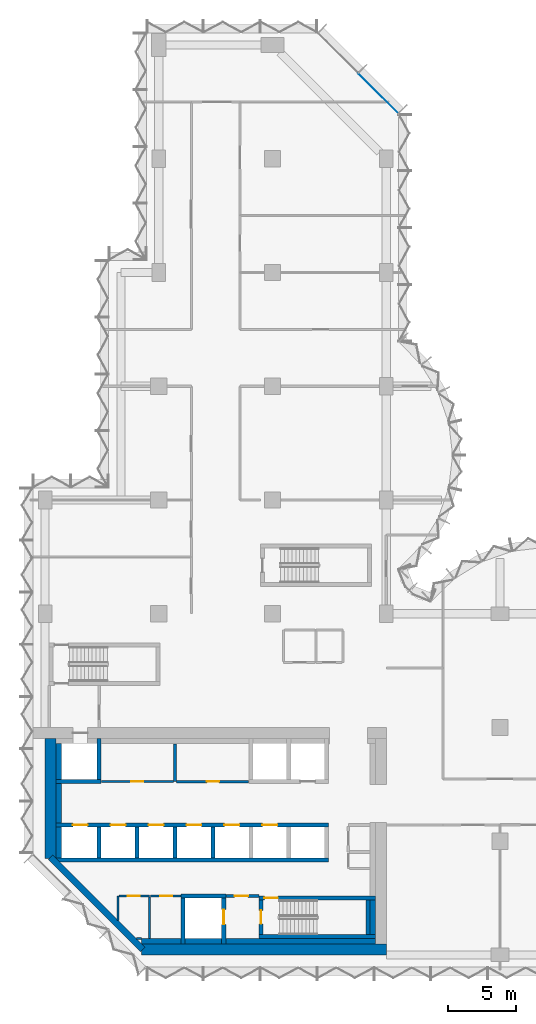
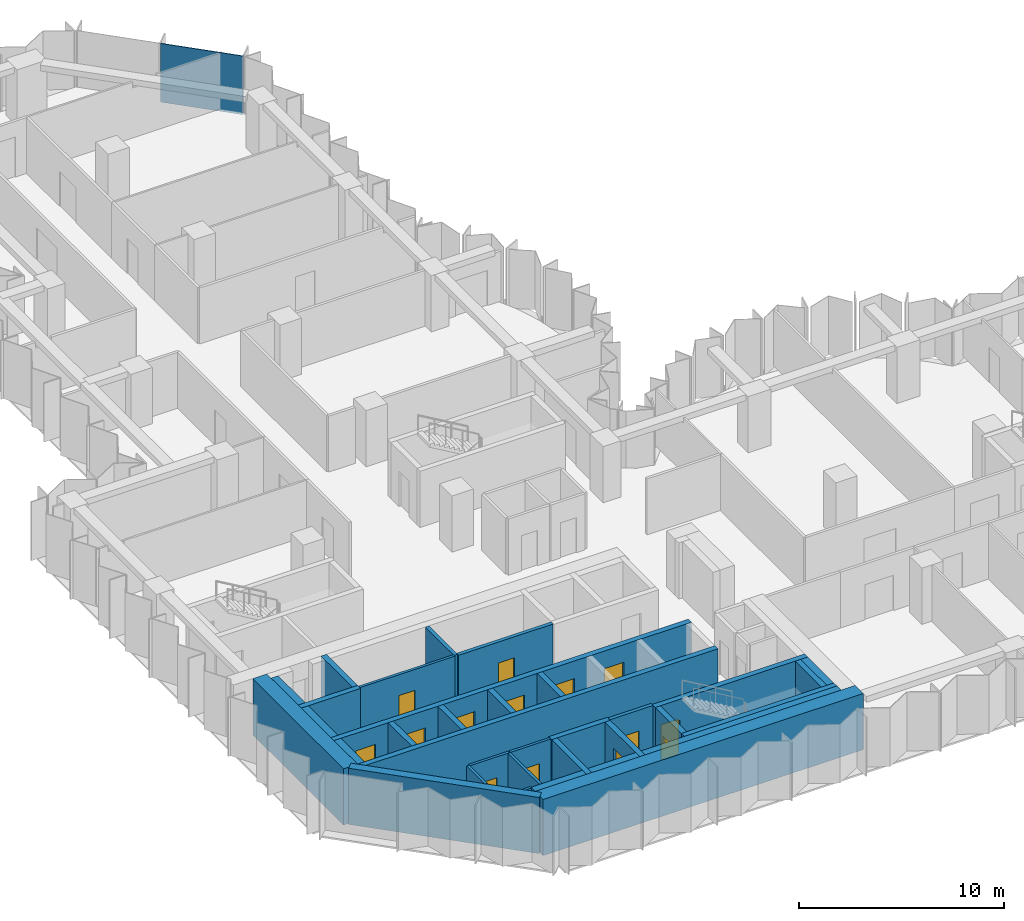
# One storey, part 5 of 11: 34 walls, 14 doors, 1 plate, 14 openings, 1 element without a shape of its own.
"""IFC4 building model written with IfcOpenShell, lengths in metres."""

from ifc_helpers import new_model, si_unit, direction, frame, frame_2d, origin, place, context, subcontext, project, spatial, polyline, rectangle, outline, extrude, material, layer, layer_set, type_object, element, fill, aggregate, save


model = new_model("IFC4")

# Units and contexts
model_context = context("Model", 3, precision=1e-05, world=origin(), true_north=direction((0.0, 1.0)))
body_context = subcontext(model_context, "Body", "Model", "MODEL_VIEW")
ifc_project = project(units=[si_unit("LENGTHUNIT", "METRE"), si_unit("AREAUNIT", "SQUARE_METRE"), si_unit("VOLUMEUNIT", "CUBIC_METRE"), si_unit("PLANEANGLEUNIT", "RADIAN"), si_unit("MASSUNIT", "GRAM", prefix="KILO")], contexts=[model_context])

# Site, building, storey
site_placement = place(None, origin())
site = spatial("IfcSite", under=ifc_project, at=site_placement, CompositionType="ELEMENT")
building_placement = place(site_placement, origin())
building = spatial("IfcBuilding", under=site, at=building_placement, Name="Brevane Broadcast Tower", CompositionType="ELEMENT")
storey_placement = place(building_placement, frame((0.0, 0.0, 149.300048828125)))
storey = spatial("IfcBuildingStorey", under=building, at=storey_placement, Name="L37", CompositionType="ELEMENT", Elevation=149.300048828125)

# Curtain wall, plate
ifc_material_1 = material(Name="Aluminium 6063-T6 bronze anodised", Category="aluminium")
curtain_wall_type = type_object("IfcCurtainWallType", Name="CW-1 curtain wall", PredefinedType="NOTDEFINED", material=ifc_material_1)
curtain_wall_placement = place(storey_placement, origin())
curtain_wall = element("IfcCurtainWall", 1, at=curtain_wall_placement, inside=storey, type_object=curtain_wall_type, Name="CW-1 typical tilted unit L37 north arm north-east chamfer", PredefinedType="NOTDEFINED")
ifc_material_2 = material(Name="Laminated glass bronze-tinted", Category="glass")
ifc_layer_1 = layer(ifc_material_2, 0.0400390625)
ifc_layer_set_1 = layer_set([ifc_layer_1], Name="CW tall glass panel 40")
plate_type = type_object("IfcPlateType", Name="CW tall glass panel 40", PredefinedType="CURTAIN_PANEL", material=ifc_layer_set_1)
plate_placement = place(storey_placement, frame((0.0, 0.0, -0.150146484375)))
plate = element("IfcPlate", 2, at=plate_placement, type_object=plate_type, Name="CW-1 glass panel", PredefinedType="CURTAIN_PANEL", context=body_context, shape_type="SweptSolid", body=[
    extrude(outline(polyline([(26.096435546875, 62.14599609375), (23.14599609375, 65.096435546875), (23.17431640625, 65.124755859375), (26.124755859375, 62.17431640625), (26.096435546875, 62.14599609375)])), origin(), (0.0, 0.0, 1.0), 3.5),
])
aggregate(curtain_wall, [plate])

# Walls
ifc_material_3 = material(Name="Concrete C32/40", Category="concrete")
ifc_layer_2 = layer(ifc_material_3, 0.39990234375)
ifc_layer_set_2 = layer_set([ifc_layer_2], Name="Core chase wall 400 mm")
wall_type_1 = type_object("IfcWallType", Name="Core chase wall 400 mm", PredefinedType="PARTITIONING", material=ifc_layer_set_2)
wall_1_placement = place(storey_placement, frame((1.0, 7.14990234375, 0.0), z_axis=(0.0, 0.0, 1.0), x_axis=(0.0, 1.0, 0.0)))
element("IfcWall", 3, at=wall_1_placement, inside=storey, type_object=wall_type_1, Name="L37 chase wall LW-2-1", PredefinedType="PARTITIONING", context=body_context, shape_type="SweptSolid", body=[
    extrude(rectangle(XDim=2.300048828125, YDim=0.39990234375, at=frame_2d((1.14990234375, 0.0))), origin(), (0.0, 0.0, 1.0), 3.349853515625),
])
wall_2_placement = place(storey_placement, frame((1.0, 9.75, 0.0), z_axis=(0.0, 0.0, 1.0), x_axis=(0.0, 1.0, 0.0)))
element("IfcWall", 4, at=wall_2_placement, inside=storey, type_object=wall_type_1, Name="L37 chase wall LW-2-2-1", PredefinedType="PARTITIONING", context=body_context, shape_type="SweptSolid", body=[
    extrude(rectangle(XDim=2.89990234375, YDim=0.39990234375, at=frame_2d((1.449951171875, 0.0))), origin(), (0.0, 0.0, 1.0), 3.349853515625),
])
wall_3_placement = place(storey_placement, frame((1.0, 12.949951171875, 0.0), z_axis=(0.0, 0.0, 1.0), x_axis=(0.0, 1.0, 0.0)))
element("IfcWall", 5, at=wall_3_placement, inside=storey, type_object=wall_type_1, Name="L37 chase wall LW-2-2-2", PredefinedType="PARTITIONING", context=body_context, shape_type="SweptSolid", body=[
    extrude(rectangle(XDim=2.650146484375, YDim=0.39990234375, at=frame_2d((1.3251953125, 0.0))), origin(), (0.0, 0.0, 1.0), 3.349853515625),
])
wall_4_placement = place(storey_placement, frame((7.136474609375, 1.0, 0.0), z_axis=(0.0, 0.0, 1.0), x_axis=(1.0, 0.0, 0.0)))
element("IfcWall", 6, at=wall_4_placement, inside=storey, type_object=wall_type_1, Name="L37 chase wall LS-1", PredefinedType="PARTITIONING", context=body_context, shape_type="SweptSolid", body=[
    extrude(rectangle(XDim=2.91357421875, YDim=0.39990234375, at=frame_2d((1.456787109375, 0.0))), origin(), (0.0, 0.0, 1.0), 3.349853515625),
])
wall_5_placement = place(storey_placement, frame((10.35009765625, 1.0, 0.0), z_axis=(0.0, 0.0, 1.0), x_axis=(1.0, 0.0, 0.0)))
element("IfcWall", 7, at=wall_5_placement, inside=storey, type_object=wall_type_1, Name="L37 chase wall LS-2-1", PredefinedType="PARTITIONING", context=body_context, shape_type="SweptSolid", body=[
    extrude(rectangle(XDim=2.699951171875, YDim=0.39990234375, at=frame_2d((1.35009765625, 0.0))), origin(), (0.0, 0.0, 1.0), 3.349853515625),
])
wall_6_placement = place(storey_placement, frame((13.35009765625, 1.0, 0.0), z_axis=(0.0, 0.0, 1.0), x_axis=(1.0, 0.0, 0.0)))
element("IfcWall", 8, at=wall_6_placement, inside=storey, type_object=wall_type_1, Name="L37 chase wall LS-2-2", PredefinedType="PARTITIONING", context=body_context, shape_type="SweptSolid", body=[
    extrude(rectangle(XDim=11.0498046875, YDim=0.39990234375, at=frame_2d((5.52490234375, 0.0))), origin(), (0.0, 0.0, 1.0), 3.349853515625),
])
wall_7_placement = place(storey_placement, frame((24.199951171875, 1.5, 0.0), z_axis=(0.0, 0.0, 1.0), x_axis=(0.0, 1.0, 0.0)))
element("IfcWall", 9, at=wall_7_placement, inside=storey, type_object=wall_type_1, Name="L37 chase wall LE1-2-1", PredefinedType="PARTITIONING", context=body_context, shape_type="SweptSolid", body=[
    extrude(rectangle(XDim=2.550048828125, YDim=0.39990234375, at=frame_2d((1.27490234375, 0.0))), origin(), (0.0, 0.0, 1.0), 3.349853515625),
])

# Wall, opening, door
ifc_material_4 = material(Name="Gypsum board on steel studs", Category="steel")
ifc_layer_3 = layer(ifc_material_4, 0.14990234375)
ifc_layer_set_3 = layer_set([ifc_layer_3], Name="Core fire partition 150 mm")
wall_type_2 = type_object("IfcWallType", Name="Core fire partition 150 mm", PredefinedType="PARTITIONING", material=ifc_layer_set_3)
wall_8_placement = place(storey_placement, frame((4.162109375, 12.800048828125, 0.0), z_axis=(0.0, 0.0, 1.0), x_axis=(1.0, 0.0, 0.0)))
wall_8 = element("IfcWall", 10, at=wall_8_placement, inside=storey, type_object=wall_type_2, Name="L37 partition wall P09", PredefinedType="PARTITIONING", context=body_context, shape_type="SweptSolid", body=[
    extrude(rectangle(XDim=5.337890625, YDim=0.14990234375, at=frame_2d((2.6689453125, 0.0))), origin(), (0.0, 0.0, 1.0), 3.349853515625),
])
opening_1_placement = place(wall_8_placement, frame((2.18798828125, 0.0, 0.0)))
opening_1 = element("IfcOpeningElement", 11, at=opening_1_placement, cuts=wall_8, Name="Opening L37-K21", PredefinedType="OPENING", context=body_context, shape_type="SweptSolid", body=[
    extrude(rectangle(XDim=0.89990234375, YDim=2.10009765625, at=frame_2d((0.449951171875, 1.050048828125))), frame((0.0, 0.0849609375, 0.0), z_axis=(0.0, -1.0, 0.0), x_axis=(1.0, 0.0, 0.0)), (0.0, 0.0, 1.0), 0.169921875),
])
ifc_material_5 = material(Name="Steel", Category="steel")
door_type_1 = type_object("IfcDoorType", Name="Service room door 900 x 2100", OperationType="SINGLE_SWING_LEFT", PredefinedType="DOOR", material=ifc_material_5)
door_1_placement = place(opening_1_placement, origin())
door_1 = element("IfcDoor", 12, at=door_1_placement, inside=storey, type_object=door_type_1, Name="Door L37-K21", OperationType="SINGLE_SWING_LEFT", OverallHeight=2.10009765625, OverallWidth=0.89990234375, PredefinedType="DOOR", context=body_context, shape_type="SweptSolid", body=[
    extrude(rectangle(XDim=0.89990234375, YDim=2.10009765625, at=frame_2d((0.449951171875, 1.050048828125))), frame((0.0, 0.02490234375, 0.0), z_axis=(0.0, -1.0, 0.0), x_axis=(1.0, 0.0, 0.0)), (0.0, 0.0, 1.0), 0.050048828125),
])
fill(opening_1, door_1)

# Wall
wall_9_placement = place(storey_placement, frame((5.39990234375, 2.553466796875, 0.0), z_axis=(0.0, 0.0, 1.0), x_axis=(0.0, 1.0, 0.0)))
element("IfcWall", 13, at=wall_9_placement, inside=storey, type_object=wall_type_2, Name="L37 partition wall P10", PredefinedType="PARTITIONING", context=body_context, shape_type="SweptSolid", body=[
    extrude(rectangle(XDim=1.796630859375, YDim=0.14990234375, at=frame_2d((0.8984375, 0.0))), origin(), (0.0, 0.0, 1.0), 3.349853515625),
])

# Wall, opening, door
wall_10_placement = place(storey_placement, frame((5.47509765625, 4.35009765625, 0.0), z_axis=(0.0, 0.0, 1.0), x_axis=(1.0, 0.0, 0.0)))
wall_10 = element("IfcWall", 14, at=wall_10_placement, inside=storey, type_object=wall_type_2, Name="L37 partition wall P11", PredefinedType="PARTITIONING", context=body_context, shape_type="SweptSolid", body=[
    extrude(rectangle(XDim=2.224853515625, YDim=0.14990234375, at=frame_2d((1.1123046875, 0.0))), origin(), (0.0, 0.0, 1.0), 3.349853515625),
])
opening_2_placement = place(wall_10_placement, frame((0.625, 0.0, 0.0)))
opening_2 = element("IfcOpeningElement", 15, at=opening_2_placement, cuts=wall_10, Name="Opening L37-K16", PredefinedType="OPENING", context=body_context, shape_type="SweptSolid", body=[
    extrude(rectangle(XDim=0.89990234375, YDim=2.10009765625, at=frame_2d((0.449951171875, 1.050048828125))), frame((0.0, 0.0849609375, 0.0), z_axis=(0.0, -1.0, 0.0), x_axis=(1.0, 0.0, 0.0)), (0.0, 0.0, 1.0), 0.169921875),
])
ifc_material_6 = material(Name="Timber", Category="wood")
door_type_2 = type_object("IfcDoorType", Name="Toilet door 900 x 2100", OperationType="SINGLE_SWING_LEFT", PredefinedType="DOOR", material=ifc_material_6)
door_2_placement = place(opening_2_placement, origin())
door_2 = element("IfcDoor", 16, at=door_2_placement, inside=storey, type_object=door_type_2, Name="Door L37-K16", OperationType="SINGLE_SWING_RIGHT", OverallHeight=2.10009765625, OverallWidth=0.89990234375, PredefinedType="DOOR", context=body_context, shape_type="SweptSolid", body=[
    extrude(rectangle(XDim=0.89990234375, YDim=2.10009765625, at=frame_2d((0.449951171875, 1.050048828125))), frame((0.0, 0.02490234375, 0.0), z_axis=(0.0, -1.0, 0.0), x_axis=(1.0, 0.0, 0.0)), (0.0, 0.0, 1.0), 0.050048828125),
])
fill(opening_2, door_2)

# Walls
wall_11_placement = place(storey_placement, frame((7.699951171875, 4.27490234375, 0.0), z_axis=(0.0, 0.0, 1.0), x_axis=(0.0, -1.0, 0.0)))
element("IfcWall", 17, at=wall_11_placement, inside=storey, type_object=wall_type_2, Name="L37 partition wall P12", PredefinedType="PARTITIONING", context=body_context, shape_type="SweptSolid", body=[
    extrude(rectangle(XDim=3.06298828125, YDim=0.14990234375, at=frame_2d((1.531494140625, 0.0))), origin(), (0.0, 0.0, 1.0), 3.349853515625),
])
wall_12_placement = place(storey_placement, frame((7.12451171875, 1.199951171875, 0.0), z_axis=(0.0, 0.0, 1.0), x_axis=(-1.0, 0.0, 0.0)))
element("IfcWall", 18, at=wall_12_placement, inside=storey, type_object=wall_type_2, Name="L37 partition wall P13", PredefinedType="PARTITIONING", context=body_context, shape_type="SweptSolid", body=[
    extrude(rectangle(XDim=0.37109375, YDim=0.14990234375, at=frame_2d((0.185546875, 0.0))), origin(), (0.0, 0.0, 1.0), 3.349853515625),
])

# Wall, opening, door
wall_13_placement = place(storey_placement, frame((10.0380859375, 4.35009765625, 0.0), z_axis=(0.0, 0.0, 1.0), x_axis=(-1.0, 0.0, 0.0)))
wall_13 = element("IfcWall", 19, at=wall_13_placement, inside=storey, type_object=wall_type_2, Name="L37 partition wall P14", PredefinedType="PARTITIONING", context=body_context, shape_type="SweptSolid", body=[
    extrude(rectangle(XDim=2.26318359375, YDim=0.14990234375, at=frame_2d((1.131591796875, 0.0))), origin(), (0.0, 0.0, 1.0), 3.349853515625),
])
opening_3_placement = place(wall_13_placement, frame((0.637939453125, 0.0, 0.0)))
opening_3 = element("IfcOpeningElement", 20, at=opening_3_placement, cuts=wall_13, Name="Opening L37-K17", PredefinedType="OPENING", context=body_context, shape_type="SweptSolid", body=[
    extrude(rectangle(XDim=0.89990234375, YDim=2.10009765625, at=frame_2d((0.449951171875, 1.050048828125))), frame((0.0, 0.0849609375, 0.0), z_axis=(0.0, -1.0, 0.0), x_axis=(1.0, 0.0, 0.0)), (0.0, 0.0, 1.0), 0.169921875),
])
door_3_placement = place(opening_3_placement, origin())
door_3 = element("IfcDoor", 21, at=door_3_placement, inside=storey, type_object=door_type_2, Name="Door L37-K17", OperationType="SINGLE_SWING_LEFT", OverallHeight=2.10009765625, OverallWidth=0.89990234375, PredefinedType="DOOR", context=body_context, shape_type="SweptSolid", body=[
    extrude(rectangle(XDim=0.89990234375, YDim=2.10009765625, at=frame_2d((0.449951171875, 1.050048828125))), frame((0.0, 0.02490234375, 0.0), z_axis=(0.0, -1.0, 0.0), x_axis=(1.0, 0.0, 0.0)), (0.0, 0.0, 1.0), 0.050048828125),
])
fill(opening_3, door_3)

ifc_layer_4 = layer(ifc_material_4, 0.199951171875)
ifc_layer_set_4 = layer_set([ifc_layer_4], Name="Core fire partition 200 mm")
wall_type_3 = type_object("IfcWallType", Name="Core fire partition 200 mm", PredefinedType="PARTITIONING", material=ifc_layer_set_4)
wall_14_placement = place(storey_placement, frame((13.362060546875, 4.35009765625, 0.0), z_axis=(0.0, 0.0, 1.0), x_axis=(1.0, 0.0, 0.0)))
wall_14 = element("IfcWall", 22, at=wall_14_placement, inside=storey, type_object=wall_type_3, Name="L37 partition wall P03", PredefinedType="PARTITIONING", context=body_context, shape_type="SweptSolid", body=[
    extrude(rectangle(XDim=2.426025390625, YDim=0.199951171875, at=frame_2d((1.212890625, 0.0))), origin(), (0.0, 0.0, 1.0), 3.349853515625),
])
opening_4_placement = place(wall_14_placement, frame((0.637939453125, 0.0, 0.0)))
opening_4 = element("IfcOpeningElement", 23, at=opening_4_placement, cuts=wall_14, Name="Opening L37-K18", PredefinedType="OPENING", context=body_context, shape_type="SweptSolid", body=[
    extrude(rectangle(XDim=1.0, YDim=2.10009765625, at=frame_2d((0.5, 1.050048828125))), frame((0.0, 0.10986328125, 0.0), z_axis=(0.0, -1.0, 0.0), x_axis=(1.0, 0.0, 0.0)), (0.0, 0.0, 1.0), 0.219970703125),
])
door_type_3 = type_object("IfcDoorType", Name="Stair door 1000 x 2100", OperationType="SINGLE_SWING_LEFT", PredefinedType="DOOR", material=ifc_material_5)
door_4_placement = place(opening_4_placement, origin())
door_4 = element("IfcDoor", 24, at=door_4_placement, inside=storey, type_object=door_type_3, Name="Door L37-K18", OperationType="SINGLE_SWING_RIGHT", OverallHeight=2.10009765625, OverallWidth=1.0, PredefinedType="DOOR", context=body_context, shape_type="SweptSolid", body=[
    extrude(rectangle(XDim=1.0, YDim=2.10009765625, at=frame_2d((0.5, 1.050048828125))), frame((0.0, 0.02490234375, 0.0), z_axis=(0.0, -1.0, 0.0), x_axis=(1.0, 0.0, 0.0)), (0.0, 0.0, 1.0), 0.050048828125),
])
fill(opening_4, door_4)

# Wall
wall_15_placement = place(storey_placement, frame((9.60009765625, 15.587890625, 0.0), z_axis=(0.0, 0.0, 1.0), x_axis=(0.0, -1.0, 0.0)))
element("IfcWall", 25, at=wall_15_placement, inside=storey, type_object=wall_type_3, Name="L37 partition wall P04", PredefinedType="PARTITIONING", context=body_context, shape_type="SweptSolid", body=[
    extrude(rectangle(XDim=2.787841796875, YDim=0.199951171875, at=frame_2d((1.39404296875, 0.0))), origin(), (0.0, 0.0, 1.0), 3.349853515625),
])

# Wall, opening, door
wall_16_placement = place(storey_placement, frame((9.699951171875, 12.800048828125, 0.0), z_axis=(0.0, 0.0, 1.0), x_axis=(1.0, 0.0, 0.0)))
wall_16 = element("IfcWall", 26, at=wall_16_placement, inside=storey, type_object=wall_type_3, Name="L37 partition wall P05", PredefinedType="PARTITIONING", context=body_context, shape_type="SweptSolid", body=[
    extrude(rectangle(XDim=5.338134765625, YDim=0.199951171875, at=frame_2d((2.6689453125, 0.0))), origin(), (0.0, 0.0, 1.0), 3.349853515625),
])
opening_5_placement = place(wall_16_placement, frame((2.25, 0.0, 0.0)))
opening_5 = element("IfcOpeningElement", 27, at=opening_5_placement, cuts=wall_16, Name="Opening L37-K22", PredefinedType="OPENING", context=body_context, shape_type="SweptSolid", body=[
    extrude(rectangle(XDim=0.89990234375, YDim=2.10009765625, at=frame_2d((0.449951171875, 1.050048828125))), frame((0.0, 0.10986328125, 0.0), z_axis=(0.0, -1.0, 0.0), x_axis=(1.0, 0.0, 0.0)), (0.0, 0.0, 1.0), 0.219970703125),
])
door_5_placement = place(opening_5_placement, origin())
door_5 = element("IfcDoor", 28, at=door_5_placement, inside=storey, type_object=door_type_1, Name="Door L37-K22", OperationType="SINGLE_SWING_RIGHT", OverallHeight=2.10009765625, OverallWidth=0.89990234375, PredefinedType="DOOR", context=body_context, shape_type="SweptSolid", body=[
    extrude(rectangle(XDim=0.89990234375, YDim=2.10009765625, at=frame_2d((0.449951171875, 1.050048828125))), frame((0.0, 0.02490234375, 0.0), z_axis=(0.0, -1.0, 0.0), x_axis=(1.0, 0.0, 0.0)), (0.0, 0.0, 1.0), 0.050048828125),
])
fill(opening_5, door_5)

# Wall
ifc_material_7 = material(Name="Concrete C60/75", Category="concrete")
ifc_layer_5 = layer(ifc_material_7, 0.300048828125)
ifc_layer_set_5 = layer_set([ifc_layer_5], Name="Core wall 300 mm C60/75")
wall_type_4 = type_object("IfcWallType", Name="Core wall 300 mm C60/75", PredefinedType="SHEAR", material=ifc_layer_set_5)
wall_17_placement = place(storey_placement, frame((0.800048828125, 7.0, 0.0), z_axis=(0.0, 0.0, 1.0), x_axis=(1.0, 0.0, 0.0)))
element("IfcWall", 29, at=wall_17_placement, inside=storey, type_object=wall_type_4, Name="L37 shaft wall SH-S012-back", PredefinedType="SHEAR", context=body_context, shape_type="SweptSolid", body=[
    extrude(rectangle(XDim=20.14990234375, YDim=0.300048828125, at=frame_2d((10.074951171875, 0.0))), origin(), (0.0, 0.0, 1.0), 3.349853515625),
])

# Wall, openings, doors
wall_18_placement = place(storey_placement, frame((0.800048828125, 9.60009765625, 0.0), z_axis=(0.0, 0.0, 1.0), x_axis=(1.0, 0.0, 0.0)))
wall_18 = element("IfcWall", 30, at=wall_18_placement, inside=storey, type_object=wall_type_4, Name="L37 shaft wall SH-S012-front", PredefinedType="SHEAR", context=body_context, shape_type="SweptSolid", body=[
    extrude(rectangle(XDim=20.14990234375, YDim=0.300048828125, at=frame_2d((10.074951171875, 0.0))), origin(), (0.0, 0.0, 1.0), 3.349853515625),
])
opening_6_placement = place(wall_18_placement, frame((1.25, 0.0, 0.0)))
opening_6 = element("IfcOpeningElement", 31, at=opening_6_placement, cuts=wall_18, Name="Opening LD", PredefinedType="OPENING", context=body_context, shape_type="SweptSolid", body=[
    extrude(rectangle(XDim=1.10009765625, YDim=2.300048828125, at=frame_2d((0.550048828125, 1.14990234375))), frame((0.0, 0.159912109375, 0.0), z_axis=(0.0, -1.0, 0.0), x_axis=(1.0, 0.0, 0.0)), (0.0, 0.0, 1.0), 0.320068359375),
])
opening_7_placement = place(wall_18_placement, frame((4.050048828125, 0.0, 0.0)))
opening_7 = element("IfcOpeningElement", 32, at=opening_7_placement, cuts=wall_18, Name="Opening LD", PredefinedType="OPENING", context=body_context, shape_type="SweptSolid", body=[
    extrude(rectangle(XDim=1.10009765625, YDim=2.300048828125, at=frame_2d((0.550048828125, 1.14990234375))), frame((0.0, 0.159912109375, 0.0), z_axis=(0.0, -1.0, 0.0), x_axis=(1.0, 0.0, 0.0)), (0.0, 0.0, 1.0), 0.320068359375),
])
opening_8_placement = place(wall_18_placement, frame((6.85009765625, 0.0, 0.0)))
opening_8 = element("IfcOpeningElement", 33, at=opening_8_placement, cuts=wall_18, Name="Opening LD", PredefinedType="OPENING", context=body_context, shape_type="SweptSolid", body=[
    extrude(rectangle(XDim=1.10009765625, YDim=2.300048828125, at=frame_2d((0.550048828125, 1.14990234375))), frame((0.0, 0.159912109375, 0.0), z_axis=(0.0, -1.0, 0.0), x_axis=(1.0, 0.0, 0.0)), (0.0, 0.0, 1.0), 0.320068359375),
])
opening_9_placement = place(wall_18_placement, frame((9.64990234375, 0.0, 0.0)))
opening_9 = element("IfcOpeningElement", 34, at=opening_9_placement, cuts=wall_18, Name="Opening LD", PredefinedType="OPENING", context=body_context, shape_type="SweptSolid", body=[
    extrude(rectangle(XDim=1.10009765625, YDim=2.300048828125, at=frame_2d((0.550048828125, 1.14990234375))), frame((0.0, 0.159912109375, 0.0), z_axis=(0.0, -1.0, 0.0), x_axis=(1.0, 0.0, 0.0)), (0.0, 0.0, 1.0), 0.320068359375),
])
opening_10_placement = place(wall_18_placement, frame((12.449951171875, 0.0, 0.0)))
opening_10 = element("IfcOpeningElement", 35, at=opening_10_placement, cuts=wall_18, Name="Opening LD", PredefinedType="OPENING", context=body_context, shape_type="SweptSolid", body=[
    extrude(rectangle(XDim=1.10009765625, YDim=2.300048828125, at=frame_2d((0.550048828125, 1.14990234375))), frame((0.0, 0.159912109375, 0.0), z_axis=(0.0, -1.0, 0.0), x_axis=(1.0, 0.0, 0.0)), (0.0, 0.0, 1.0), 0.320068359375),
])
opening_11_placement = place(wall_18_placement, frame((15.25, 0.0, 0.0)))
opening_11 = element("IfcOpeningElement", 36, at=opening_11_placement, cuts=wall_18, Name="Opening LD", PredefinedType="OPENING", context=body_context, shape_type="SweptSolid", body=[
    extrude(rectangle(XDim=1.10009765625, YDim=2.300048828125, at=frame_2d((0.550048828125, 1.14990234375))), frame((0.0, 0.159912109375, 0.0), z_axis=(0.0, -1.0, 0.0), x_axis=(1.0, 0.0, 0.0)), (0.0, 0.0, 1.0), 0.320068359375),
])
ifc_material_8 = material(Name="Stainless steel", Category="steel")
door_type_4 = type_object("IfcDoorType", Name="Lift landing door", OperationType="SLIDING_TO_LEFT", PredefinedType="DOOR", material=ifc_material_8)
door_6_placement = place(opening_6_placement, origin())
door_6 = element("IfcDoor", 37, at=door_6_placement, inside=storey, type_object=door_type_4, Name="Landing door LR1 L37", OperationType="SLIDING_TO_LEFT", OverallHeight=2.300048828125, OverallWidth=1.10009765625, PredefinedType="DOOR", context=body_context, shape_type="SweptSolid", body=[
    extrude(rectangle(XDim=1.10009765625, YDim=2.300048828125, at=frame_2d((0.550048828125, 1.14990234375))), frame((0.0, 0.02490234375, 0.0), z_axis=(0.0, -1.0, 0.0), x_axis=(1.0, 0.0, 0.0)), (0.0, 0.0, 1.0), 0.050048828125),
])
fill(opening_6, door_6)
door_7_placement = place(opening_7_placement, origin())
door_7 = element("IfcDoor", 38, at=door_7_placement, inside=storey, type_object=door_type_4, Name="Landing door LR2 L37", OperationType="SLIDING_TO_LEFT", OverallHeight=2.300048828125, OverallWidth=1.10009765625, PredefinedType="DOOR", context=body_context, shape_type="SweptSolid", body=[
    extrude(rectangle(XDim=1.10009765625, YDim=2.300048828125, at=frame_2d((0.550048828125, 1.14990234375))), frame((0.0, 0.02490234375, 0.0), z_axis=(0.0, -1.0, 0.0), x_axis=(1.0, 0.0, 0.0)), (0.0, 0.0, 1.0), 0.050048828125),
])
fill(opening_7, door_7)
door_8_placement = place(opening_8_placement, origin())
door_8 = element("IfcDoor", 39, at=door_8_placement, inside=storey, type_object=door_type_4, Name="Landing door LR3 L37", OperationType="SLIDING_TO_LEFT", OverallHeight=2.300048828125, OverallWidth=1.10009765625, PredefinedType="DOOR", context=body_context, shape_type="SweptSolid", body=[
    extrude(rectangle(XDim=1.10009765625, YDim=2.300048828125, at=frame_2d((0.550048828125, 1.14990234375))), frame((0.0, 0.02490234375, 0.0), z_axis=(0.0, -1.0, 0.0), x_axis=(1.0, 0.0, 0.0)), (0.0, 0.0, 1.0), 0.050048828125),
])
fill(opening_8, door_8)
door_9_placement = place(opening_9_placement, origin())
door_9 = element("IfcDoor", 40, at=door_9_placement, inside=storey, type_object=door_type_4, Name="Landing door LR4 L37", OperationType="SLIDING_TO_LEFT", OverallHeight=2.300048828125, OverallWidth=1.10009765625, PredefinedType="DOOR", context=body_context, shape_type="SweptSolid", body=[
    extrude(rectangle(XDim=1.10009765625, YDim=2.300048828125, at=frame_2d((0.550048828125, 1.14990234375))), frame((0.0, 0.02490234375, 0.0), z_axis=(0.0, -1.0, 0.0), x_axis=(1.0, 0.0, 0.0)), (0.0, 0.0, 1.0), 0.050048828125),
])
fill(opening_9, door_9)
door_10_placement = place(opening_10_placement, origin())
door_10 = element("IfcDoor", 41, at=door_10_placement, inside=storey, type_object=door_type_4, Name="Landing door LR5 L37", OperationType="SLIDING_TO_LEFT", OverallHeight=2.300048828125, OverallWidth=1.10009765625, PredefinedType="DOOR", context=body_context, shape_type="SweptSolid", body=[
    extrude(rectangle(XDim=1.10009765625, YDim=2.300048828125, at=frame_2d((0.550048828125, 1.14990234375))), frame((0.0, 0.02490234375, 0.0), z_axis=(0.0, -1.0, 0.0), x_axis=(1.0, 0.0, 0.0)), (0.0, 0.0, 1.0), 0.050048828125),
])
fill(opening_10, door_10)
door_11_placement = place(opening_11_placement, origin())
door_11 = element("IfcDoor", 42, at=door_11_placement, inside=storey, type_object=door_type_4, Name="Landing door LR6 L37", OperationType="SLIDING_TO_LEFT", OverallHeight=2.300048828125, OverallWidth=1.10009765625, PredefinedType="DOOR", context=body_context, shape_type="SweptSolid", body=[
    extrude(rectangle(XDim=1.10009765625, YDim=2.300048828125, at=frame_2d((0.550048828125, 1.14990234375))), frame((0.0, 0.02490234375, 0.0), z_axis=(0.0, -1.0, 0.0), x_axis=(1.0, 0.0, 0.0)), (0.0, 0.0, 1.0), 0.050048828125),
])
fill(opening_11, door_11)

# Walls
for number, where, z_axis, x_axis, name in (
    (43, (4.0, 7.14990234375, 0.0), (0.0, 0.0, 1.0), (0.0, 1.0, 0.0), "L37 shaft wall SH-S-P040"),
    (44, (6.800048828125, 7.14990234375, 0.0), (0.0, 0.0, 1.0), (0.0, 1.0, 0.0), "L37 shaft wall SH-S-P068"),
    (45, (9.60009765625, 7.14990234375, 0.0), (0.0, 0.0, 1.0), (0.0, 1.0, 0.0), "L37 shaft wall SH-S-P096"),
    (46, (12.39990234375, 7.14990234375, 0.0), (0.0, 0.0, 1.0), (0.0, 1.0, 0.0), "L37 shaft wall SH-S-P124"),
):
    element("IfcWall", number, at=place(storey_placement, frame(where, z_axis=z_axis, x_axis=x_axis)), inside=storey, type_object=wall_type_4, Name=name, PredefinedType="SHEAR", context=body_context, shape_type="SweptSolid", body=[
        extrude(rectangle(XDim=2.300048828125, YDim=0.300048828125, at=frame_2d((1.14990234375, 0.0))), origin(), (0.0, 0.0, 1.0), 3.349853515625),
    ])
wall_19_placement = place(storey_placement, frame((0.800048828125, 12.800048828125, 0.0), z_axis=(0.0, 0.0, 1.0), x_axis=(1.0, 0.0, 0.0)))
element("IfcWall", 47, at=wall_19_placement, inside=storey, type_object=wall_type_4, Name="L37 shaft wall SH-N012-front", PredefinedType="SHEAR", context=body_context, shape_type="SweptSolid", body=[
    extrude(rectangle(XDim=3.349853515625, YDim=0.300048828125, at=frame_2d((1.6748046875, 0.0))), origin(), (0.0, 0.0, 1.0), 3.349853515625),
])
wall_20_placement = place(storey_placement, frame((4.0, 12.949951171875, 0.0), z_axis=(0.0, 0.0, 1.0), x_axis=(0.0, 1.0, 0.0)))
element("IfcWall", 48, at=wall_20_placement, inside=storey, type_object=wall_type_4, Name="L37 shaft wall SH-N-P040", PredefinedType="SHEAR", context=body_context, shape_type="SweptSolid", body=[
    extrude(rectangle(XDim=3.050048828125, YDim=0.300048828125, at=frame_2d((1.52490234375, 0.0))), origin(), (0.0, 0.0, 1.0), 3.349853515625),
])
wall_21_placement = place(storey_placement, frame((10.199951171875, 0.800048828125, 0.0), z_axis=(0.0, 0.0, 1.0), x_axis=(0.0, 1.0, 0.0)))
element("IfcWall", 49, at=wall_21_placement, inside=storey, type_object=wall_type_4, Name="L37 shaft wall FF2-W", PredefinedType="SHEAR", context=body_context, shape_type="SweptSolid", body=[
    extrude(rectangle(XDim=3.39990234375, YDim=0.300048828125, at=frame_2d((1.699951171875, 0.0))), origin(), (0.0, 0.0, 1.0), 3.349853515625),
])

# Wall, opening, door
wall_22_placement = place(storey_placement, frame((13.199951171875, 0.800048828125, 0.0), z_axis=(0.0, 0.0, 1.0), x_axis=(0.0, 1.0, 0.0)))
wall_22 = element("IfcWall", 50, at=wall_22_placement, inside=storey, type_object=wall_type_4, Name="L37 shaft wall FF2-E", PredefinedType="SHEAR", context=body_context, shape_type="SweptSolid", body=[
    extrude(rectangle(XDim=3.39990234375, YDim=0.300048828125, at=frame_2d((1.699951171875, 0.0))), origin(), (0.0, 0.0, 1.0), 3.349853515625),
])
opening_12_placement = place(wall_22_placement, frame((1.449951171875, 0.0, 0.0)))
opening_12 = element("IfcOpeningElement", 51, at=opening_12_placement, cuts=wall_22, Name="Opening LD", PredefinedType="OPENING", context=body_context, shape_type="SweptSolid", body=[
    extrude(rectangle(XDim=1.10009765625, YDim=2.300048828125, at=frame_2d((0.550048828125, 1.14990234375))), frame((0.0, 0.159912109375, 0.0), z_axis=(0.0, -1.0, 0.0), x_axis=(1.0, 0.0, 0.0)), (0.0, 0.0, 1.0), 0.320068359375),
])
door_12_placement = place(opening_12_placement, origin())
door_12 = element("IfcDoor", 52, at=door_12_placement, inside=storey, type_object=door_type_4, Name="Landing door FF2 L37", OperationType="SLIDING_TO_LEFT", OverallHeight=2.300048828125, OverallWidth=1.10009765625, PredefinedType="DOOR", context=body_context, shape_type="SweptSolid", body=[
    extrude(rectangle(XDim=1.10009765625, YDim=2.300048828125, at=frame_2d((0.550048828125, 1.14990234375))), frame((0.0, 0.02490234375, 0.0), z_axis=(0.0, -1.0, 0.0), x_axis=(1.0, 0.0, 0.0)), (0.0, 0.0, 1.0), 0.050048828125),
])
fill(opening_12, door_12)

# Walls
wall_23_placement = place(storey_placement, frame((10.050048828125, 4.35009765625, 0.0), z_axis=(0.0, 0.0, 1.0), x_axis=(1.0, 0.0, 0.0)))
element("IfcWall", 53, at=wall_23_placement, inside=storey, type_object=wall_type_4, Name="L37 shaft wall FF2-N", PredefinedType="SHEAR", context=body_context, shape_type="SweptSolid", body=[
    extrude(rectangle(XDim=3.300048828125, YDim=0.300048828125, at=frame_2d((1.64990234375, 0.0))), origin(), (0.0, 0.0, 1.0), 3.349853515625),
])
wall_24_placement = place(storey_placement, frame((15.800048828125, 1.35009765625, 0.0), z_axis=(0.0, 0.0, 1.0), x_axis=(1.0, 0.0, 0.0)))
element("IfcWall", 54, at=wall_24_placement, inside=storey, type_object=wall_type_4, Name="L37 stair wall ST-2-S", PredefinedType="SHEAR", context=body_context, shape_type="SweptSolid", body=[
    extrude(rectangle(XDim=8.599853515625, YDim=0.300048828125, at=frame_2d((4.2998046875, 0.0))), origin(), (0.0, 0.0, 1.0), 3.349853515625),
])

# Wall, opening, door
wall_25_placement = place(storey_placement, frame((15.800048828125, 4.199951171875, 0.0), z_axis=(0.0, 0.0, 1.0), x_axis=(1.0, 0.0, 0.0)))
wall_25 = element("IfcWall", 55, at=wall_25_placement, inside=storey, type_object=wall_type_4, Name="L37 stair wall ST-2-N", PredefinedType="SHEAR", context=body_context, shape_type="SweptSolid", body=[
    extrude(rectangle(XDim=8.599853515625, YDim=0.300048828125, at=frame_2d((4.2998046875, 0.0))), origin(), (0.0, 0.0, 1.0), 3.349853515625),
])
opening_13_placement = place(wall_25_placement, frame((0.39990234375, 0.0, 0.0)))
opening_13 = element("IfcOpeningElement", 56, at=opening_13_placement, cuts=wall_25, Name="Opening L37-K13", PredefinedType="OPENING", context=body_context, shape_type="SweptSolid", body=[
    extrude(rectangle(XDim=1.0, YDim=2.10009765625, at=frame_2d((0.5, 1.050048828125))), frame((0.0, 0.159912109375, 0.0), z_axis=(0.0, -1.0, 0.0), x_axis=(1.0, 0.0, 0.0)), (0.0, 0.0, 1.0), 0.320068359375),
])
door_13_placement = place(opening_13_placement, origin())
door_13 = element("IfcDoor", 57, at=door_13_placement, inside=storey, type_object=door_type_3, Name="Door L37-K13", OperationType="SINGLE_SWING_LEFT", OverallHeight=2.10009765625, OverallWidth=1.0, PredefinedType="DOOR", context=body_context, shape_type="SweptSolid", body=[
    extrude(rectangle(XDim=1.0, YDim=2.10009765625, at=frame_2d((0.5, 1.050048828125))), frame((0.0, 0.02490234375, 0.0), z_axis=(0.0, -1.0, 0.0), x_axis=(1.0, 0.0, 0.0)), (0.0, 0.0, 1.0), 0.050048828125),
])
fill(opening_13, door_13)

wall_26_placement = place(storey_placement, frame((15.949951171875, 1.5, 0.0), z_axis=(0.0, 0.0, 1.0), x_axis=(0.0, 1.0, 0.0)))
wall_26 = element("IfcWall", 58, at=wall_26_placement, inside=storey, type_object=wall_type_4, Name="L37 stair wall ST-2-W", PredefinedType="SHEAR", context=body_context, shape_type="SweptSolid", body=[
    extrude(rectangle(XDim=2.550048828125, YDim=0.300048828125, at=frame_2d((1.27490234375, 0.0))), origin(), (0.0, 0.0, 1.0), 3.349853515625),
])
opening_14_placement = place(wall_26_placement, frame((0.800048828125, 0.0, 0.0)))
opening_14 = element("IfcOpeningElement", 59, at=opening_14_placement, cuts=wall_26, Name="Opening L37-K12", PredefinedType="OPENING", context=body_context, shape_type="SweptSolid", body=[
    extrude(rectangle(XDim=1.0, YDim=2.10009765625, at=frame_2d((0.5, 1.050048828125))), frame((0.0, 0.159912109375, 0.0), z_axis=(0.0, -1.0, 0.0), x_axis=(1.0, 0.0, 0.0)), (0.0, 0.0, 1.0), 0.320068359375),
])
door_14_placement = place(opening_14_placement, origin())
door_14 = element("IfcDoor", 60, at=door_14_placement, inside=storey, type_object=door_type_3, Name="Door L37-K12", OperationType="SINGLE_SWING_RIGHT", OverallHeight=2.10009765625, OverallWidth=1.0, PredefinedType="DOOR", context=body_context, shape_type="SweptSolid", body=[
    extrude(rectangle(XDim=1.0, YDim=2.10009765625, at=frame_2d((0.5, 1.050048828125))), frame((0.0, 0.02490234375, 0.0), z_axis=(0.0, -1.0, 0.0), x_axis=(1.0, 0.0, 0.0)), (0.0, 0.0, 1.0), 0.050048828125),
])
fill(opening_14, door_14)

# Walls
wall_27_placement = place(storey_placement, frame((23.85009765625, 1.5, 0.0), z_axis=(0.0, 0.0, 1.0), x_axis=(0.0, 1.0, 0.0)))
element("IfcWall", 61, at=wall_27_placement, inside=storey, type_object=wall_type_4, Name="L37 stair wall ST-2-E", PredefinedType="SHEAR", context=body_context, shape_type="SweptSolid", body=[
    extrude(rectangle(XDim=2.550048828125, YDim=0.300048828125, at=frame_2d((1.27490234375, 0.0))), origin(), (0.0, 0.0, 1.0), 3.349853515625),
])
ifc_layer_6 = layer(ifc_material_7, 0.449951171875)
ifc_layer_set_6 = layer_set([ifc_layer_6], Name="Core wall 450 mm C60/75")
wall_type_5 = type_object("IfcWallType", Name="Core wall 450 mm C60/75", PredefinedType="SHEAR", material=ifc_layer_set_6)
wall_28_placement = place(storey_placement, frame((0.39990234375, 7.21826171875, 0.0), z_axis=(0.0, 0.0, 1.0), x_axis=(0.707106781187, -0.707106781187, 0.0)))
element("IfcWall", 62, at=wall_28_placement, inside=storey, type_object=wall_type_5, Name="L37 outer wall WC", PredefinedType="SHEAR", context=body_context, shape_type="SweptSolid", body=[
    extrude(rectangle(XDim=9.642578125, YDim=0.449951171875, at=frame_2d((4.8212890625, 0.0))), origin(), (0.0, 0.0, 1.0), 3.349853515625),
])
ifc_layer_7 = layer(ifc_material_7, 0.800048828125)
ifc_layer_set_7 = layer_set([ifc_layer_7], Name="Core wall 800 mm C60/75")
wall_type_6 = type_object("IfcWallType", Name="Core wall 800 mm C60/75", PredefinedType="SHEAR", material=ifc_layer_set_7)
wall_29_placement = place(storey_placement, frame((7.136474609375, 0.39990234375, 0.0), z_axis=(0.0, 0.0, 1.0), x_axis=(1.0, 0.0, 0.0)))
element("IfcWall", 63, at=wall_29_placement, inside=storey, type_object=wall_type_6, Name="L37 outer wall WS", PredefinedType="SHEAR", context=body_context, shape_type="SweptSolid", body=[
    extrude(rectangle(XDim=18.0634765625, YDim=0.800048828125, at=frame_2d((9.03173828125, 0.0))), origin(), (0.0, 0.0, 1.0), 3.349853515625),
])
wall_30_placement = place(storey_placement, frame((0.39990234375, 7.136474609375, 0.0), z_axis=(0.0, 0.0, 1.0), x_axis=(0.0, 1.0, 0.0)))
element("IfcWall", 64, at=wall_30_placement, inside=storey, type_object=wall_type_6, Name="L37 outer wall WW", PredefinedType="SHEAR", context=body_context, shape_type="SweptSolid", body=[
    extrude(rectangle(XDim=8.863525390625, YDim=0.800048828125, at=frame_2d((4.431640625, 0.0))), origin(), (0.0, 0.0, 1.0), 3.349853515625),
])

save(model, "model.ifc")
